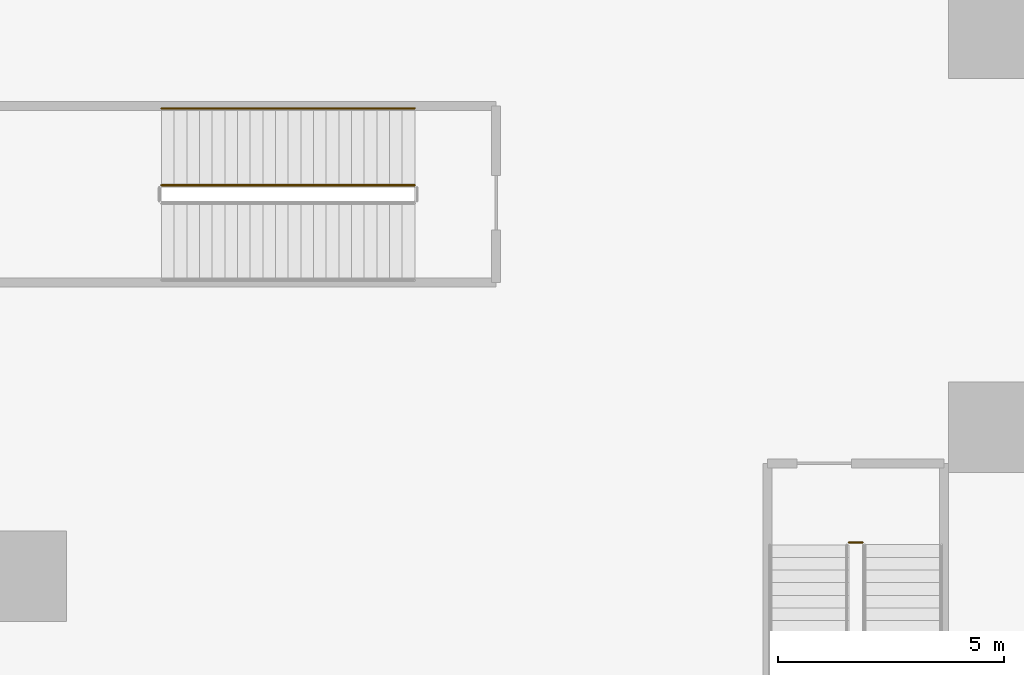
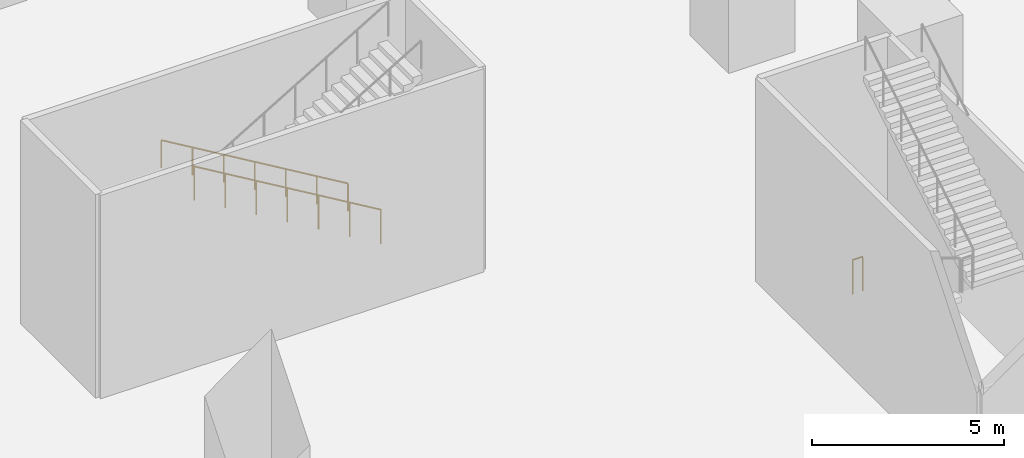
# One storey, part 31 of 37: 3 railings.
"""IFC4 building model written with IfcOpenShell, lengths in metres."""

import ifcopenshell
import ifcopenshell.guid

model = None  # the IFC model being written
_history = None  # IfcOwnerHistory: only IFC2X3 demands one
_inside = {}  # id of a spatial element -> (the spatial element, [elements in it])
_under = {}  # id of a project, library or spatial element -> (it, [spatial elements below it])
_declared = {}  # id of a project -> (the project, [libraries it declares])
_typed = {}  # id of a type object -> (the type object, [elements of that type])
_made_of = {}  # id of a material, layer set ... -> (it, [elements and type objects made of it])


def new_model(schema):
    """Start an empty IFC model of exactly this schema.

    Asked for "IFC4X3", IfcOpenShell would pick the latest addendum, in which some entities
    have other attributes; the version numbers below select the first issue.
    IFC2X3 requires an IfcOwnerHistory on every rooted entity: one is made here for all.
    """
    global model, _history
    if schema == "IFC4X3":
        model = ifcopenshell.file(schema_version=(4, 3, 0, 0))
    else:
        model = ifcopenshell.file(schema=schema)
    _inside.clear()
    _under.clear()
    _declared.clear()
    _typed.clear()
    _made_of.clear()
    _history = None
    if model.schema == "IFC2X3":
        org = make("IfcOrganization", Name="unknown")
        user = make(
            "IfcPersonAndOrganization",
            ThePerson=make("IfcPerson", FamilyName="unknown"),
            TheOrganization=org,
        )
        app = make(
            "IfcApplication",
            ApplicationDeveloper=org,
            Version="unknown",
            ApplicationFullName="unknown",
            ApplicationIdentifier="unknown",
        )
        _history = make(
            "IfcOwnerHistory",
            OwningUser=user,
            OwningApplication=app,
            ChangeAction="ADDED",
            CreationDate=0,
        )
    return model


def make(cls, **values):
    """One entity of the class cls with the attributes given. An attribute that is None is left unset."""
    return model.create_entity(
        cls, **{name: value for name, value in values.items() if value is not None}
    )


def rooted(cls, **values):
    """An entity with a GlobalId (a new one), such as an element, a storey or a relation."""
    return make(cls, GlobalId=ifcopenshell.guid.new(), OwnerHistory=_history, **values)


def si_unit(unit_type, name, prefix=None):
    """IfcSIUnit, for example si_unit("LENGTHUNIT", "METRE", prefix="MILLI")."""
    return make("IfcSIUnit", UnitType=unit_type, Prefix=prefix, Name=name)


def assignment(units):
    """IfcUnitAssignment: the units of a project."""
    return None if units is None else make("IfcUnitAssignment", Units=units)


def point(xyz):
    """IfcCartesianPoint."""
    return None if xyz is None else make("IfcCartesianPoint", Coordinates=xyz)


def direction(xyz):
    """IfcDirection."""
    return None if xyz is None else make("IfcDirection", DirectionRatios=xyz)


def frame(location, z_axis=None, x_axis=None):
    """IfcAxis2Placement3D, a coordinate frame: its origin and axes. An axis left out is left unset."""
    return make(
        "IfcAxis2Placement3D",
        Location=point(location),
        Axis=direction(z_axis),
        RefDirection=direction(x_axis),
    )


def frame_2d(location, x_axis=None):
    """IfcAxis2Placement2D, a coordinate frame in the plane: its origin and x axis."""
    return make(
        "IfcAxis2Placement2D", Location=point(location), RefDirection=direction(x_axis)
    )


def origin():
    """The frame at (0, 0, 0) with its axes left unset."""
    return frame((0.0, 0.0, 0.0))


def origin_2d():
    """The frame at (0, 0) in the plane with its x axis left unset."""
    return frame_2d((0.0, 0.0))


def place(relative_to, where):
    """IfcLocalPlacement: puts the frame where relative to a parent placement (None: the world)."""
    return make(
        "IfcLocalPlacement", PlacementRelTo=relative_to, RelativePlacement=where
    )


def context(
    kind, dimensions, precision=None, world=None, true_north=None, identifier=None
):
    """IfcGeometricRepresentationContext, for example the 3D "Model" context."""
    return make(
        "IfcGeometricRepresentationContext",
        ContextIdentifier=identifier,
        ContextType=kind,
        CoordinateSpaceDimension=dimensions,
        Precision=precision,
        WorldCoordinateSystem=world,
        TrueNorth=true_north,
    )


def subcontext(parent, identifier, kind, view, scale=None):
    """IfcGeometricRepresentationSubContext, for example "Body" below "Model"."""
    return make(
        "IfcGeometricRepresentationSubContext",
        ContextIdentifier=identifier,
        ContextType=kind,
        ParentContext=parent,
        TargetScale=scale,
        TargetView=view,
    )


def project(units=None, contexts=None):
    """IfcProject with its units and contexts."""
    return rooted(
        "IfcProject",
        Name="project",
        RepresentationContexts=contexts,
        UnitsInContext=assignment(units),
    )


def spatial(cls, under=None, at=None, **own):
    """A site, building, storey or space (cls), placed at a placement, below another one or the project."""
    s = rooted(cls, ObjectPlacement=at, **own)
    if under is not None:
        _under.setdefault(under.id(), (under, []))[1].append(s)
    return s


def profile(cls, at=None, kind="AREA", **sizes):
    """A parametric profile (cls). Its sizes go by their IFC names, for example OverallWidth=200.0."""
    return make(cls, ProfileType=kind, Position=at, **sizes)


def circle(**sizes):
    """IfcCircleProfileDef."""
    return profile("IfcCircleProfileDef", **sizes)


def extrude(swept, where, along, depth):
    """IfcExtrudedAreaSolid: the profile swept, set in the frame where, extruded along a direction by depth."""
    return make(
        "IfcExtrudedAreaSolid",
        SweptArea=swept,
        Position=where,
        ExtrudedDirection=direction(along),
        Depth=depth,
    )


def shape(context_of_items, identifier, shape_type, items):
    """IfcShapeRepresentation: the items that make up one representation, for example the "Body"."""
    return make(
        "IfcShapeRepresentation",
        ContextOfItems=context_of_items,
        RepresentationIdentifier=identifier,
        RepresentationType=shape_type,
        Items=items,
    )


def material(Name=None, Category=None):
    """IfcMaterial."""
    return make("IfcMaterial", Name=Name, Category=Category)


def made_of(thing, what):
    """Note that an element or type object is made of a material, layer set ...; save() writes the relation."""
    if what is not None:
        _made_of.setdefault(what.id(), (what, []))[1].append(thing)
    return thing


def type_object(cls, material=None, **own):
    """A type object (cls), such as IfcWallType, which elements share."""
    return made_of(rooted(cls, **own), material)


def element(
    cls,
    number,
    at=None,
    inside=None,
    cuts=None,
    type_object=None,
    material=None,
    context=None,
    identifier="Body",
    shape_type=None,
    held_by="IfcProductDefinitionShape",
    body=None,
    shapes=None,
    **own,
):
    """One element of the class cls, such as IfcWall. Its Tag is "e" and its number.

    at: its placement. inside: the storey or other place that contains it. cuts: it is an
    opening in that element (IfcRelVoidsElement). A single representation is given by context,
    identifier, shape_type and body (its items); several are given by shapes. held_by: the class
    of the entity that holds the representations. save() writes the other relations.
    """
    e = rooted(cls, Tag="e%d" % number, ObjectPlacement=at, **own)
    if body is not None:
        shapes = [shape(context, identifier, shape_type, body)]
    if shapes is not None:
        e.Representation = make(held_by, Representations=shapes)
    if inside is not None:
        _inside.setdefault(inside.id(), (inside, []))[1].append(e)
    if cuts is not None:
        rooted(
            "IfcRelVoidsElement", RelatingBuildingElement=cuts, RelatedOpeningElement=e
        )
    if type_object is not None:
        _typed.setdefault(type_object.id(), (type_object, []))[1].append(e)
    return made_of(e, material)


def aggregate(whole, parts):
    """IfcRelAggregates: a whole, such as a stair, and the parts it consists of."""
    return rooted("IfcRelAggregates", RelatingObject=whole, RelatedObjects=parts)


def save(model, path):
    """Write the relations noted so far, then the file.

    IfcRelAggregates (storeys below a building ...), IfcRelContainedInSpatialStructure (elements
    in a storey), IfcRelDefinesByType, IfcRelAssociatesMaterial and IfcRelDeclares: one each for
    every whole, place, type object, material and project.
    """
    for whole, parts in _under.values():
        aggregate(whole, parts)
    for where, things in _inside.values():
        rooted(
            "IfcRelContainedInSpatialStructure",
            RelatedElements=things,
            RelatingStructure=where,
        )
    for kind, things in _typed.values():
        rooted("IfcRelDefinesByType", RelatedObjects=things, RelatingType=kind)
    for what, things in _made_of.values():
        rooted("IfcRelAssociatesMaterial", RelatedObjects=things, RelatingMaterial=what)
    for by, libraries in _declared.values():
        rooted("IfcRelDeclares", RelatingContext=by, RelatedDefinitions=libraries)
    model.write(path)


model = new_model("IFC4")

# Units and contexts
model_context = context("Model", 3, precision=1e-05, world=origin(), true_north=direction((0.0, 1.0)))
body_context = subcontext(model_context, "Body", "Model", "MODEL_VIEW")
ifc_project = project(units=[si_unit("LENGTHUNIT", "METRE"), si_unit("AREAUNIT", "SQUARE_METRE"), si_unit("VOLUMEUNIT", "CUBIC_METRE"), si_unit("PLANEANGLEUNIT", "RADIAN"), si_unit("MASSUNIT", "GRAM", prefix="KILO")], contexts=[model_context])

# Site, building, storey
site_placement = place(None, origin())
site = spatial("IfcSite", under=ifc_project, at=site_placement, CompositionType="ELEMENT")
building_placement = place(site_placement, origin())
building = spatial("IfcBuilding", under=site, at=building_placement, Name="Tamarind Cross Interchange Tower", CompositionType="ELEMENT")
storey_placement = place(building_placement, frame((0.0, 0.0, -7.0)))
storey = spatial("IfcBuildingStorey", under=building, at=storey_placement, Name="B1", CompositionType="ELEMENT", Elevation=-7.0)

# Railings
ifc_material_1 = material(Name="Public stair guard")
railing_type_1 = type_object("IfcRailingType", Name="Public stair guard", PredefinedType="GUARDRAIL", material=ifc_material_1)
railing_1_placement = place(storey_placement, frame((-18.300048828125, 44.64990234375, 0.166748046875)))
element("IfcRailing", 1, at=railing_1_placement, inside=storey, type_object=railing_type_1, Name="B1 XS-P06 stair guard 1", PredefinedType="GUARDRAIL", context=body_context, shape_type="SweptSolid", body=[
    extrude(circle(Radius=0.02392578125, at=origin_2d()), frame((0.0, 0.0, 1.076171875), z_axis=(-0.859292492371, 0.0, 0.511484518392), x_axis=(0.0, -1.0, 0.0)), (0.0, 0.0, 1.0), 6.516845703125),
    extrude(circle(Radius=0.02099609375, at=origin_2d()), origin(), (0.0, 0.0, 1.0), 1.052001953125),
    extrude(circle(Radius=0.02099609375, at=origin_2d()), frame((-0.933349609375, 0.0, 0.5556640625)), (0.0, 0.0, 1.0), 1.052001953125),
    extrude(circle(Radius=0.02099609375, at=origin_2d()), frame((-1.86669921875, 0.0, 1.111083984375)), (0.0, 0.0, 1.0), 1.052001953125),
    extrude(circle(Radius=0.02099609375, at=origin_2d()), frame((-2.7998046875, 0.0, 1.66650390625)), (0.0, 0.0, 1.0), 1.052001953125),
    extrude(circle(Radius=0.02099609375, at=origin_2d()), frame((-3.733154296875, 0.0, 2.22216796875)), (0.0, 0.0, 1.0), 1.052001953125),
    extrude(circle(Radius=0.02099609375, at=origin_2d()), frame((-4.66650390625, 0.0, 2.77783203125)), (0.0, 0.0, 1.0), 1.052001953125),
    extrude(circle(Radius=0.02099609375, at=origin_2d()), frame((-5.599853515625, 0.0, 3.333251953125)), (0.0, 0.0, 1.0), 1.052001953125),
])
railing_2_placement = place(storey_placement, frame((-8.699951171875, 36.75, 0.0)))
element("IfcRailing", 2, at=railing_2_placement, inside=storey, type_object=railing_type_1, Name="B1 XS-P13 stair guard 4", PredefinedType="GUARDRAIL", context=body_context, shape_type="SweptSolid", body=[
    extrude(circle(Radius=0.02392578125, at=origin_2d()), frame((0.0, 0.0, 1.076171875), z_axis=(1.0, 0.0, 0.0), x_axis=(0.0, 1.0, 0.0)), (0.0, 0.0, 1.0), 0.300048828125),
    extrude(circle(Radius=0.02099609375, at=origin_2d()), origin(), (0.0, 0.0, 1.0), 1.052001953125),
    extrude(circle(Radius=0.02099609375, at=origin_2d()), frame((0.300048828125, 0.0, 0.0)), (0.0, 0.0, 1.0), 1.052001953125),
])
ifc_material_2 = material(Name="Public stair handrail")
railing_type_2 = type_object("IfcRailingType", Name="Public stair handrail", PredefinedType="HANDRAIL", material=ifc_material_2)
railing_3_placement = place(storey_placement, frame((-18.300048828125, 46.35009765625, 0.166748046875)))
element("IfcRailing", 3, at=railing_3_placement, inside=storey, type_object=railing_type_2, Name="B1 XS-P06 stair handrail 1", PredefinedType="HANDRAIL", context=body_context, shape_type="SweptSolid", body=[
    extrude(circle(Radius=0.02392578125, at=origin_2d()), frame((0.0, 0.0, 0.8759765625), z_axis=(-0.859292492371, 0.0, 0.511484518392), x_axis=(0.0, -1.0, 0.0)), (0.0, 0.0, 1.0), 6.516845703125),
    extrude(circle(Radius=0.02099609375, at=origin_2d()), origin(), (0.0, 0.0, 1.0), 0.851806640625),
    extrude(circle(Radius=0.02099609375, at=origin_2d()), frame((-0.933349609375, 0.0, 0.5556640625)), (0.0, 0.0, 1.0), 0.851806640625),
    extrude(circle(Radius=0.02099609375, at=origin_2d()), frame((-1.86669921875, 0.0, 1.111083984375)), (0.0, 0.0, 1.0), 0.851806640625),
    extrude(circle(Radius=0.02099609375, at=origin_2d()), frame((-2.7998046875, 0.0, 1.66650390625)), (0.0, 0.0, 1.0), 0.851806640625),
    extrude(circle(Radius=0.02099609375, at=origin_2d()), frame((-3.733154296875, 0.0, 2.22216796875)), (0.0, 0.0, 1.0), 0.851806640625),
    extrude(circle(Radius=0.02099609375, at=origin_2d()), frame((-4.66650390625, 0.0, 2.77783203125)), (0.0, 0.0, 1.0), 0.851806640625),
    extrude(circle(Radius=0.02099609375, at=origin_2d()), frame((-5.599853515625, 0.0, 3.333251953125)), (0.0, 0.0, 1.0), 0.851806640625),
])

save(model, "model.ifc")
